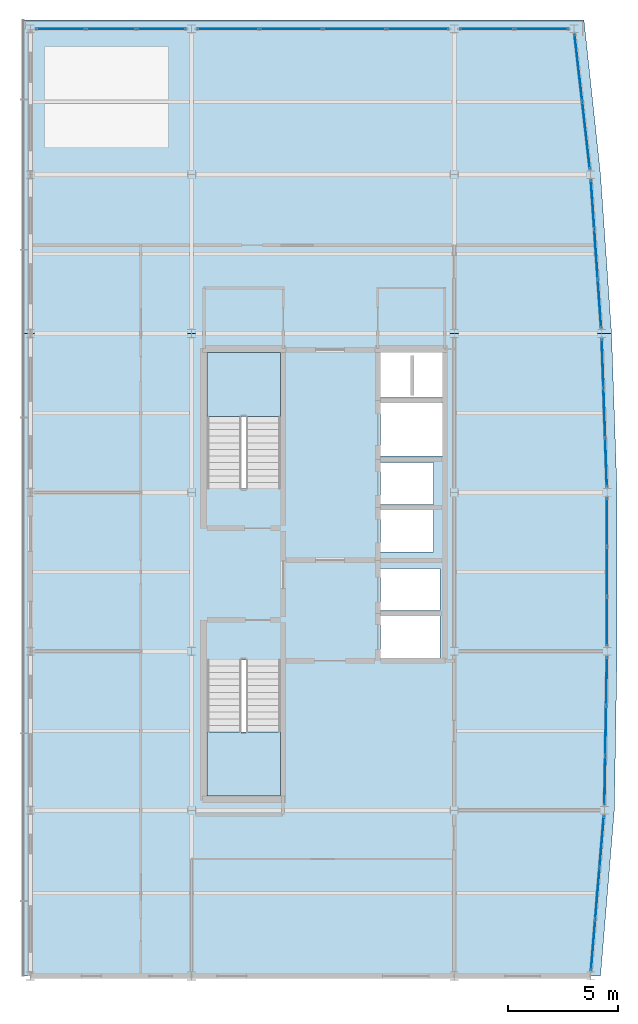
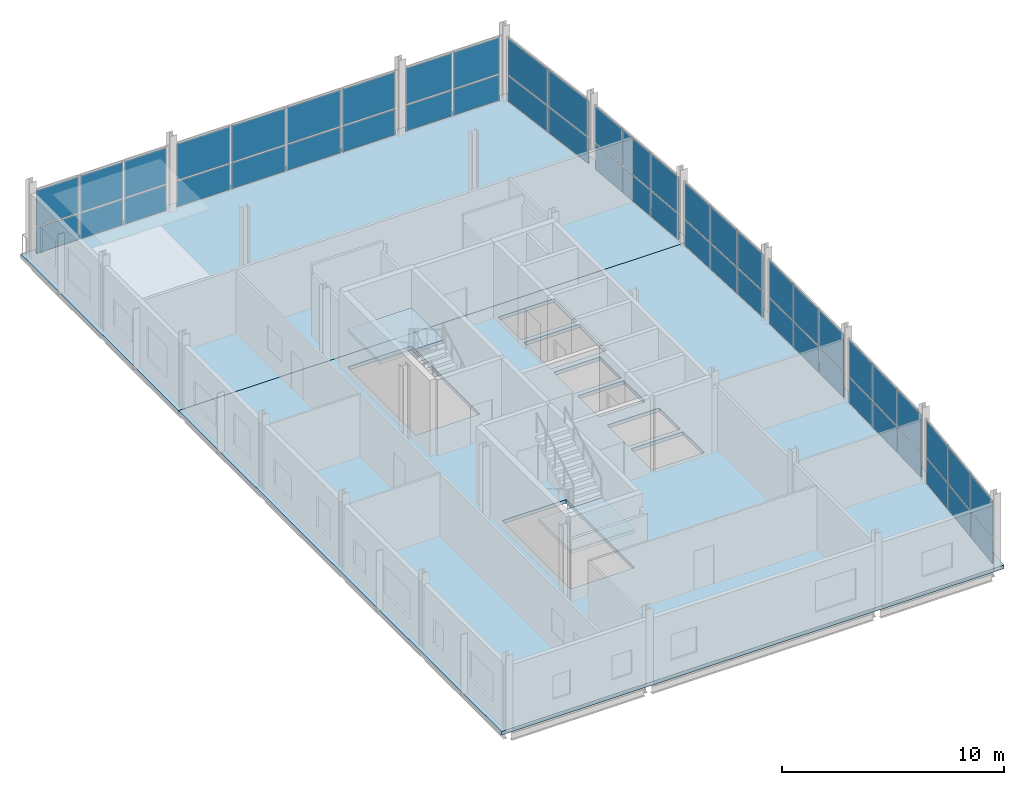
# One storey, part 10 of 16: 52 plates, 4 slabs, 11 elements without a shape of their own.
"""IFC4 building model written with IfcOpenShell, lengths in metres."""

from ifc_helpers import new_model, si_unit, direction, frame, origin, origin_2d, place, context, subcontext, project, spatial, polyline, rectangle, outline, extrude, material, layer, layer_set, type_object, element, aggregate, save


model = new_model("IFC4")

# Units and contexts
model_context = context("Model", 3, precision=1e-05, world=origin(), true_north=direction((0.0, 1.0)))
body_context = subcontext(model_context, "Body", "Model", "MODEL_VIEW")
ifc_project = project(units=[si_unit("LENGTHUNIT", "METRE"), si_unit("AREAUNIT", "SQUARE_METRE"), si_unit("VOLUMEUNIT", "CUBIC_METRE"), si_unit("PLANEANGLEUNIT", "RADIAN"), si_unit("MASSUNIT", "GRAM", prefix="KILO")], contexts=[model_context])

# Site, building, storey
site_placement = place(None, origin())
site = spatial("IfcSite", under=ifc_project, at=site_placement, CompositionType="ELEMENT")
building_placement = place(site_placement, origin())
building = spatial("IfcBuilding", under=site, at=building_placement, Name="Quillay Park Conservatory", CompositionType="ELEMENT")
storey_placement = place(building_placement, frame((0.0, 0.0, 39.300048828125)))
storey = spatial("IfcBuildingStorey", under=building, at=storey_placement, Name="L09", CompositionType="ELEMENT", Elevation=39.300048828125)

# Curtain wall, plates
ifc_material_1 = material(Name="Thermally Broken Anodised Aluminium 6063-T6", Category="aluminium")
ifc_layer_1 = layer(ifc_material_1, 0.179931640625)
ifc_layer_set_1 = layer_set([ifc_layer_1], Name="UNITISED CURTAIN WALL TOWER (Thermally Broken Anodised Aluminium 6063-T6)")
curtain_wall_type = type_object("IfcCurtainWallType", Name="UNITISED CURTAIN WALL TOWER", PredefinedType="USERDEFINED", material=ifc_layer_set_1)
curtain_wall_1_placement = place(storey_placement, origin())
curtain_wall_1 = element("IfcCurtainWall", 1, at=curtain_wall_1_placement, inside=storey, type_object=curtain_wall_type, Name="L09 Unitised Curtain Wall 087", ObjectType="UNITISED CURTAIN WALL", PredefinedType="USERDEFINED")
ifc_material_2 = material(Name="Low-E Double Glazing (Laminated Tempered)", Category="glass")
ifc_layer_2 = layer(ifc_material_2, 0.028076171875)
ifc_layer_set_2 = layer_set([ifc_layer_2], Name="CURTAIN WALL GLAZED PANEL 28 (Low-E Double Glazing (Laminated Tempered))")
plate_type = type_object("IfcPlateType", Name="CURTAIN WALL GLAZED PANEL 28", PredefinedType="CURTAIN_PANEL", material=ifc_layer_set_2)
plate_1_placement = place(storey_placement, frame((26.433349609375, 76.599609375, 0.06982421875), z_axis=(0.0, 0.0, 1.0), x_axis=(-0.083047802572, -0.996545564682, 0.0)))
plate_1 = element("IfcPlate", 2, at=plate_1_placement, type_object=plate_type, Name="CW-T1 panel 1.1", PredefinedType="CURTAIN_PANEL", context=body_context, shape_type="SweptSolid", body=[
    extrude(rectangle(XDim=2.270263671875, YDim=0.028076171875, at=origin_2d()), origin(), (0.0, 0.0, 1.0), 1.406494140625),
])
plate_2_placement = place(storey_placement, frame((26.433349609375, 76.599609375, 1.546630859375), z_axis=(0.0, 0.0, 1.0), x_axis=(-0.083047802572, -0.996545564682, 0.0)))
plate_2 = element("IfcPlate", 3, at=plate_2_placement, type_object=plate_type, Name="CW-T1 panel 1.2", PredefinedType="CURTAIN_PANEL", context=body_context, shape_type="SweptSolid", body=[
    extrude(rectangle(XDim=2.270263671875, YDim=0.028076171875, at=origin_2d()), origin(), (0.0, 0.0, 1.0), 1.982421875),
])
plate_3_placement = place(storey_placement, frame((26.237548828125, 74.25, 0.06982421875), z_axis=(0.0, 0.0, 1.0), x_axis=(-0.083047802572, -0.996545564682, 0.0)))
plate_3 = element("IfcPlate", 4, at=plate_3_placement, type_object=plate_type, Name="CW-T1 panel 2.1", PredefinedType="CURTAIN_PANEL", context=body_context, shape_type="SweptSolid", body=[
    extrude(rectangle(XDim=2.305419921875, YDim=0.028076171875, at=origin_2d()), origin(), (0.0, 0.0, 1.0), 1.406494140625),
])
plate_4_placement = place(storey_placement, frame((26.237548828125, 74.25, 1.546630859375), z_axis=(0.0, 0.0, 1.0), x_axis=(-0.083047802572, -0.996545564682, 0.0)))
plate_4 = element("IfcPlate", 5, at=plate_4_placement, type_object=plate_type, Name="CW-T1 panel 2.2", PredefinedType="CURTAIN_PANEL", context=body_context, shape_type="SweptSolid", body=[
    extrude(rectangle(XDim=2.305419921875, YDim=0.028076171875, at=origin_2d()), origin(), (0.0, 0.0, 1.0), 1.982421875),
])
plate_5_placement = place(storey_placement, frame((26.041748046875, 71.900390625, 0.06982421875), z_axis=(0.0, 0.0, 1.0), x_axis=(-0.083047802572, -0.996545564682, 0.0)))
plate_5 = element("IfcPlate", 6, at=plate_5_placement, type_object=plate_type, Name="CW-T1 panel 3.1", PredefinedType="CURTAIN_PANEL", context=body_context, shape_type="SweptSolid", body=[
    extrude(rectangle(XDim=2.270263671875, YDim=0.028076171875, at=origin_2d()), origin(), (0.0, 0.0, 1.0), 1.406494140625),
])
plate_6_placement = place(storey_placement, frame((26.041748046875, 71.900390625, 1.546630859375), z_axis=(0.0, 0.0, 1.0), x_axis=(-0.083047802572, -0.996545564682, 0.0)))
plate_6 = element("IfcPlate", 7, at=plate_6_placement, type_object=plate_type, Name="CW-T1 panel 3.2", PredefinedType="CURTAIN_PANEL", context=body_context, shape_type="SweptSolid", body=[
    extrude(rectangle(XDim=2.270263671875, YDim=0.028076171875, at=origin_2d()), origin(), (0.0, 0.0, 1.0), 1.982421875),
])
aggregate(curtain_wall_1, [plate_1, plate_2, plate_3, plate_4, plate_5, plate_6])

curtain_wall_2_placement = place(storey_placement, origin())
curtain_wall_2 = element("IfcCurtainWall", 8, at=curtain_wall_2_placement, inside=storey, type_object=curtain_wall_type, Name="L09 Unitised Curtain Wall 088", ObjectType="UNITISED CURTAIN WALL", PredefinedType="USERDEFINED")
plate_7_placement = place(storey_placement, frame((26.651611328125, 83.84912109375, 0.06982421875), z_axis=(0.0, 0.0, 1.0), x_axis=(-0.017350329071, -0.999849471711, 0.0)))
plate_7 = element("IfcPlate", 9, at=plate_7_placement, type_object=plate_type, Name="CW-T1 panel 1.1", PredefinedType="CURTAIN_PANEL", context=body_context, shape_type="SweptSolid", body=[
    extrude(rectangle(XDim=2.162109375, YDim=0.028076171875, at=origin_2d()), origin(), (0.0, 0.0, 1.0), 1.406494140625),
])
plate_8_placement = place(storey_placement, frame((26.651611328125, 83.84912109375, 1.546630859375), z_axis=(0.0, 0.0, 1.0), x_axis=(-0.017350329071, -0.999849471711, 0.0)))
plate_8 = element("IfcPlate", 10, at=plate_8_placement, type_object=plate_type, Name="CW-T1 panel 1.2", PredefinedType="CURTAIN_PANEL", context=body_context, shape_type="SweptSolid", body=[
    extrude(rectangle(XDim=2.162109375, YDim=0.028076171875, at=origin_2d()), origin(), (0.0, 0.0, 1.0), 1.982421875),
])
plate_9_placement = place(storey_placement, frame((26.612548828125, 81.60009765625, 0.06982421875), z_axis=(0.0, 0.0, 1.0), x_axis=(-0.017350329071, -0.999849471711, 0.0)))
plate_9 = element("IfcPlate", 11, at=plate_9_placement, type_object=plate_type, Name="CW-T1 panel 2.1", PredefinedType="CURTAIN_PANEL", context=body_context, shape_type="SweptSolid", body=[
    extrude(rectangle(XDim=2.197021484375, YDim=0.028076171875, at=origin_2d()), origin(), (0.0, 0.0, 1.0), 1.406494140625),
])
plate_10_placement = place(storey_placement, frame((26.612548828125, 81.60009765625, 1.546630859375), z_axis=(0.0, 0.0, 1.0), x_axis=(-0.017350329071, -0.999849471711, 0.0)))
plate_10 = element("IfcPlate", 12, at=plate_10_placement, type_object=plate_type, Name="CW-T1 panel 2.2", PredefinedType="CURTAIN_PANEL", context=body_context, shape_type="SweptSolid", body=[
    extrude(rectangle(XDim=2.197021484375, YDim=0.028076171875, at=origin_2d()), origin(), (0.0, 0.0, 1.0), 1.982421875),
])
plate_11_placement = place(storey_placement, frame((26.573486328125, 79.350830078125, 0.06982421875), z_axis=(0.0, 0.0, 1.0), x_axis=(-0.017350329071, -0.999849471711, 0.0)))
plate_11 = element("IfcPlate", 13, at=plate_11_placement, type_object=plate_type, Name="CW-T1 panel 3.1", PredefinedType="CURTAIN_PANEL", context=body_context, shape_type="SweptSolid", body=[
    extrude(rectangle(XDim=2.162109375, YDim=0.028076171875, at=origin_2d()), origin(), (0.0, 0.0, 1.0), 1.406494140625),
])
plate_12_placement = place(storey_placement, frame((26.573486328125, 79.350830078125, 1.546630859375), z_axis=(0.0, 0.0, 1.0), x_axis=(-0.017350329071, -0.999849471711, 0.0)))
plate_12 = element("IfcPlate", 14, at=plate_12_placement, type_object=plate_type, Name="CW-T1 panel 3.2", PredefinedType="CURTAIN_PANEL", context=body_context, shape_type="SweptSolid", body=[
    extrude(rectangle(XDim=2.162109375, YDim=0.028076171875, at=origin_2d()), origin(), (0.0, 0.0, 1.0), 1.982421875),
])
aggregate(curtain_wall_2, [plate_7, plate_8, plate_9, plate_10, plate_11, plate_12])

curtain_wall_3_placement = place(storey_placement, origin())
curtain_wall_3 = element("IfcCurtainWall", 15, at=curtain_wall_3_placement, inside=storey, type_object=curtain_wall_type, Name="L09 Unitised Curtain Wall 089", ObjectType="UNITISED CURTAIN WALL", PredefinedType="USERDEFINED")
plate_13_placement = place(storey_placement, frame((26.675048828125, 91.049072265625, 0.06982421875), z_axis=(0.0, 0.0, 1.0), x_axis=(0.0, -1.0, 0.0)))
plate_13 = element("IfcPlate", 16, at=plate_13_placement, type_object=plate_type, Name="CW-T1 panel 1.1", PredefinedType="CURTAIN_PANEL", context=body_context, shape_type="SweptSolid", body=[
    extrude(rectangle(XDim=2.16162109375, YDim=0.028076171875, at=origin_2d()), origin(), (0.0, 0.0, 1.0), 1.406494140625),
])
plate_14_placement = place(storey_placement, frame((26.675048828125, 91.049072265625, 1.546630859375), z_axis=(0.0, 0.0, 1.0), x_axis=(0.0, -1.0, 0.0)))
plate_14 = element("IfcPlate", 17, at=plate_14_placement, type_object=plate_type, Name="CW-T1 panel 1.2", PredefinedType="CURTAIN_PANEL", context=body_context, shape_type="SweptSolid", body=[
    extrude(rectangle(XDim=2.16162109375, YDim=0.028076171875, at=origin_2d()), origin(), (0.0, 0.0, 1.0), 1.982421875),
])
plate_15_placement = place(storey_placement, frame((26.675048828125, 88.800048828125, 0.06982421875), z_axis=(0.0, 0.0, 1.0), x_axis=(0.0, -1.0, 0.0)))
plate_15 = element("IfcPlate", 18, at=plate_15_placement, type_object=plate_type, Name="CW-T1 panel 2.1", PredefinedType="CURTAIN_PANEL", context=body_context, shape_type="SweptSolid", body=[
    extrude(rectangle(XDim=2.19677734375, YDim=0.028076171875, at=origin_2d()), origin(), (0.0, 0.0, 1.0), 1.406494140625),
])
plate_16_placement = place(storey_placement, frame((26.675048828125, 88.800048828125, 1.546630859375), z_axis=(0.0, 0.0, 1.0), x_axis=(0.0, -1.0, 0.0)))
plate_16 = element("IfcPlate", 19, at=plate_16_placement, type_object=plate_type, Name="CW-T1 panel 2.2", PredefinedType="CURTAIN_PANEL", context=body_context, shape_type="SweptSolid", body=[
    extrude(rectangle(XDim=2.19677734375, YDim=0.028076171875, at=origin_2d()), origin(), (0.0, 0.0, 1.0), 1.982421875),
])
plate_17_placement = place(storey_placement, frame((26.675048828125, 86.55078125, 0.06982421875), z_axis=(0.0, 0.0, 1.0), x_axis=(0.0, -1.0, 0.0)))
plate_17 = element("IfcPlate", 20, at=plate_17_placement, type_object=plate_type, Name="CW-T1 panel 3.1", PredefinedType="CURTAIN_PANEL", context=body_context, shape_type="SweptSolid", body=[
    extrude(rectangle(XDim=2.16162109375, YDim=0.028076171875, at=origin_2d()), origin(), (0.0, 0.0, 1.0), 1.406494140625),
])
plate_18_placement = place(storey_placement, frame((26.675048828125, 86.55078125, 1.546630859375), z_axis=(0.0, 0.0, 1.0), x_axis=(0.0, -1.0, 0.0)))
plate_18 = element("IfcPlate", 21, at=plate_18_placement, type_object=plate_type, Name="CW-T1 panel 3.2", PredefinedType="CURTAIN_PANEL", context=body_context, shape_type="SweptSolid", body=[
    extrude(rectangle(XDim=2.16162109375, YDim=0.028076171875, at=origin_2d()), origin(), (0.0, 0.0, 1.0), 1.982421875),
])
aggregate(curtain_wall_3, [plate_13, plate_14, plate_15, plate_16, plate_17, plate_18])

curtain_wall_4_placement = place(storey_placement, origin())
curtain_wall_4 = element("IfcCurtainWall", 22, at=curtain_wall_4_placement, inside=storey, type_object=curtain_wall_type, Name="L09 Unitised Curtain Wall 090", ObjectType="UNITISED CURTAIN WALL", PredefinedType="USERDEFINED")
plate_19_placement = place(storey_placement, frame((26.471923828125, 98.249267578125, 0.06982421875), z_axis=(0.0, 0.0, 1.0), x_axis=(0.034713338537, -0.999397310446, 0.0)))
plate_19 = element("IfcPlate", 23, at=plate_19_placement, type_object=plate_type, Name="CW-T1 panel 1.1", PredefinedType="CURTAIN_PANEL", context=body_context, shape_type="SweptSolid", body=[
    extrude(rectangle(XDim=2.1630859375, YDim=0.028076171875, at=origin_2d()), origin(), (0.0, 0.0, 1.0), 1.406494140625),
])
plate_20_placement = place(storey_placement, frame((26.471923828125, 98.249267578125, 1.546630859375), z_axis=(0.0, 0.0, 1.0), x_axis=(0.034713338537, -0.999397310446, 0.0)))
plate_20 = element("IfcPlate", 24, at=plate_20_placement, type_object=plate_type, Name="CW-T1 panel 1.2", PredefinedType="CURTAIN_PANEL", context=body_context, shape_type="SweptSolid", body=[
    extrude(rectangle(XDim=2.1630859375, YDim=0.028076171875, at=origin_2d()), origin(), (0.0, 0.0, 1.0), 1.982421875),
])
plate_21_placement = place(storey_placement, frame((26.550048828125, 96.0, 0.06982421875), z_axis=(0.0, 0.0, 1.0), x_axis=(0.034713338537, -0.999397310446, 0.0)))
plate_21 = element("IfcPlate", 25, at=plate_21_placement, type_object=plate_type, Name="CW-T1 panel 2.1", PredefinedType="CURTAIN_PANEL", context=body_context, shape_type="SweptSolid", body=[
    extrude(rectangle(XDim=2.197998046875, YDim=0.028076171875, at=origin_2d()), origin(), (0.0, 0.0, 1.0), 1.406494140625),
])
plate_22_placement = place(storey_placement, frame((26.550048828125, 96.0, 1.546630859375), z_axis=(0.0, 0.0, 1.0), x_axis=(0.034713338537, -0.999397310446, 0.0)))
plate_22 = element("IfcPlate", 26, at=plate_22_placement, type_object=plate_type, Name="CW-T1 panel 2.2", PredefinedType="CURTAIN_PANEL", context=body_context, shape_type="SweptSolid", body=[
    extrude(rectangle(XDim=2.197998046875, YDim=0.028076171875, at=origin_2d()), origin(), (0.0, 0.0, 1.0), 1.982421875),
])
plate_23_placement = place(storey_placement, frame((26.628173828125, 93.750732421875, 0.06982421875), z_axis=(0.0, 0.0, 1.0), x_axis=(0.034713338537, -0.999397310446, 0.0)))
plate_23 = element("IfcPlate", 27, at=plate_23_placement, type_object=plate_type, Name="CW-T1 panel 3.1", PredefinedType="CURTAIN_PANEL", context=body_context, shape_type="SweptSolid", body=[
    extrude(rectangle(XDim=2.1630859375, YDim=0.028076171875, at=origin_2d()), origin(), (0.0, 0.0, 1.0), 1.406494140625),
])
plate_24_placement = place(storey_placement, frame((26.628173828125, 93.750732421875, 1.546630859375), z_axis=(0.0, 0.0, 1.0), x_axis=(0.034713338537, -0.999397310446, 0.0)))
plate_24 = element("IfcPlate", 28, at=plate_24_placement, type_object=plate_type, Name="CW-T1 panel 3.2", PredefinedType="CURTAIN_PANEL", context=body_context, shape_type="SweptSolid", body=[
    extrude(rectangle(XDim=2.1630859375, YDim=0.028076171875, at=origin_2d()), origin(), (0.0, 0.0, 1.0), 1.982421875),
])
aggregate(curtain_wall_4, [plate_19, plate_20, plate_21, plate_22, plate_23, plate_24])

curtain_wall_5_placement = place(storey_placement, origin())
curtain_wall_5 = element("IfcCurtainWall", 29, at=curtain_wall_5_placement, inside=storey, type_object=curtain_wall_type, Name="L09 Unitised Curtain Wall 091", ObjectType="UNITISED CURTAIN WALL", PredefinedType="USERDEFINED")
plate_25_placement = place(storey_placement, frame((26.018798828125, 105.449462890625, 0.06982421875), z_axis=(0.0, 0.0, 1.0), x_axis=(0.069264217159, -0.99759835015, 0.0)))
plate_25 = element("IfcPlate", 30, at=plate_25_placement, type_object=plate_type, Name="CW-T1 panel 1.1", PredefinedType="CURTAIN_PANEL", context=body_context, shape_type="SweptSolid", body=[
    extrude(rectangle(XDim=2.16748046875, YDim=0.028076171875, at=origin_2d()), origin(), (0.0, 0.0, 1.0), 1.406494140625),
])
plate_26_placement = place(storey_placement, frame((26.018798828125, 105.449462890625, 1.546630859375), z_axis=(0.0, 0.0, 1.0), x_axis=(0.069264217159, -0.99759835015, 0.0)))
plate_26 = element("IfcPlate", 31, at=plate_26_placement, type_object=plate_type, Name="CW-T1 panel 1.2", PredefinedType="CURTAIN_PANEL", context=body_context, shape_type="SweptSolid", body=[
    extrude(rectangle(XDim=2.16748046875, YDim=0.028076171875, at=origin_2d()), origin(), (0.0, 0.0, 1.0), 1.982421875),
])
plate_27_placement = place(storey_placement, frame((26.175048828125, 103.199951171875, 0.06982421875), z_axis=(0.0, 0.0, 1.0), x_axis=(0.069264217159, -0.99759835015, 0.0)))
plate_27 = element("IfcPlate", 32, at=plate_27_placement, type_object=plate_type, Name="CW-T1 panel 2.1", PredefinedType="CURTAIN_PANEL", context=body_context, shape_type="SweptSolid", body=[
    extrude(rectangle(XDim=2.202392578125, YDim=0.028076171875, at=origin_2d()), origin(), (0.0, 0.0, 1.0), 1.406494140625),
])
plate_28_placement = place(storey_placement, frame((26.175048828125, 103.199951171875, 1.546630859375), z_axis=(0.0, 0.0, 1.0), x_axis=(0.069264217159, -0.99759835015, 0.0)))
plate_28 = element("IfcPlate", 33, at=plate_28_placement, type_object=plate_type, Name="CW-T1 panel 2.2", PredefinedType="CURTAIN_PANEL", context=body_context, shape_type="SweptSolid", body=[
    extrude(rectangle(XDim=2.202392578125, YDim=0.028076171875, at=origin_2d()), origin(), (0.0, 0.0, 1.0), 1.982421875),
])
plate_29_placement = place(storey_placement, frame((26.331298828125, 100.950439453125, 0.06982421875), z_axis=(0.0, 0.0, 1.0), x_axis=(0.069264217159, -0.99759835015, 0.0)))
plate_29 = element("IfcPlate", 34, at=plate_29_placement, type_object=plate_type, Name="CW-T1 panel 3.1", PredefinedType="CURTAIN_PANEL", context=body_context, shape_type="SweptSolid", body=[
    extrude(rectangle(XDim=2.16748046875, YDim=0.028076171875, at=origin_2d()), origin(), (0.0, 0.0, 1.0), 1.406494140625),
])
plate_30_placement = place(storey_placement, frame((26.331298828125, 100.950439453125, 1.546630859375), z_axis=(0.0, 0.0, 1.0), x_axis=(0.069264217159, -0.99759835015, 0.0)))
plate_30 = element("IfcPlate", 35, at=plate_30_placement, type_object=plate_type, Name="CW-T1 panel 3.2", PredefinedType="CURTAIN_PANEL", context=body_context, shape_type="SweptSolid", body=[
    extrude(rectangle(XDim=2.16748046875, YDim=0.028076171875, at=origin_2d()), origin(), (0.0, 0.0, 1.0), 1.982421875),
])
aggregate(curtain_wall_5, [plate_25, plate_26, plate_27, plate_28, plate_29, plate_30])

curtain_wall_6_placement = place(storey_placement, origin())
curtain_wall_6 = element("IfcCurtainWall", 36, at=curtain_wall_6_placement, inside=storey, type_object=curtain_wall_type, Name="L09 Unitised Curtain Wall 092", ObjectType="UNITISED CURTAIN WALL", PredefinedType="USERDEFINED")
plate_31_placement = place(storey_placement, frame((25.375732421875, 111.63330078125, 0.06982421875), z_axis=(0.0, 0.0, 1.0), x_axis=(0.112903218278, -0.993605989969, 0.0)))
plate_31 = element("IfcPlate", 37, at=plate_31_placement, type_object=plate_type, Name="CW-T1 panel 1.1", PredefinedType="CURTAIN_PANEL", context=body_context, shape_type="SweptSolid", body=[
    extrude(rectangle(XDim=3.016357421875, YDim=0.028076171875, at=origin_2d()), origin(), (0.0, 0.0, 1.0), 1.406494140625),
])
plate_32_placement = place(storey_placement, frame((25.375732421875, 111.63330078125, 1.546630859375), z_axis=(0.0, 0.0, 1.0), x_axis=(0.112903218278, -0.993605989969, 0.0)))
plate_32 = element("IfcPlate", 38, at=plate_32_placement, type_object=plate_type, Name="CW-T1 panel 1.2", PredefinedType="CURTAIN_PANEL", context=body_context, shape_type="SweptSolid", body=[
    extrude(rectangle(XDim=3.016357421875, YDim=0.028076171875, at=origin_2d()), origin(), (0.0, 0.0, 1.0), 1.982421875),
])
plate_33_placement = place(storey_placement, frame((25.72412109375, 108.566650390625, 0.06982421875), z_axis=(0.0, 0.0, 1.0), x_axis=(0.112903218278, -0.993605989969, 0.0)))
plate_33 = element("IfcPlate", 39, at=plate_33_placement, type_object=plate_type, Name="CW-T1 panel 2.1", PredefinedType="CURTAIN_PANEL", context=body_context, shape_type="SweptSolid", body=[
    extrude(rectangle(XDim=3.016357421875, YDim=0.028076171875, at=origin_2d()), origin(), (0.0, 0.0, 1.0), 1.406494140625),
])
plate_34_placement = place(storey_placement, frame((25.72412109375, 108.566650390625, 1.546630859375), z_axis=(0.0, 0.0, 1.0), x_axis=(0.112903218278, -0.993605989969, 0.0)))
plate_34 = element("IfcPlate", 40, at=plate_34_placement, type_object=plate_type, Name="CW-T1 panel 2.2", PredefinedType="CURTAIN_PANEL", context=body_context, shape_type="SweptSolid", body=[
    extrude(rectangle(XDim=3.016357421875, YDim=0.028076171875, at=origin_2d()), origin(), (0.0, 0.0, 1.0), 1.982421875),
])
aggregate(curtain_wall_6, [plate_31, plate_32, plate_33, plate_34])

curtain_wall_7_placement = place(storey_placement, origin())
curtain_wall_7 = element("IfcCurtainWall", 41, at=curtain_wall_7_placement, inside=storey, type_object=curtain_wall_type, Name="L09 Unitised Curtain Wall 093", ObjectType="UNITISED CURTAIN WALL", PredefinedType="USERDEFINED")
plate_35_placement = place(storey_placement, frame((1.91748046875, 113.39990234375, 0.06982421875), z_axis=(0.0, 0.0, 1.0), x_axis=(1.0, 0.0, 0.0)))
plate_35 = element("IfcPlate", 42, at=plate_35_placement, type_object=plate_type, Name="CW-T1 panel 1.1", PredefinedType="CURTAIN_PANEL", context=body_context, shape_type="SweptSolid", body=[
    extrude(rectangle(XDim=2.195068359375, YDim=0.028076171875, at=origin_2d()), origin(), (0.0, 0.0, 1.0), 1.406494140625),
])
plate_36_placement = place(storey_placement, frame((1.91748046875, 113.39990234375, 1.546630859375), z_axis=(0.0, 0.0, 1.0), x_axis=(1.0, 0.0, 0.0)))
plate_36 = element("IfcPlate", 43, at=plate_36_placement, type_object=plate_type, Name="CW-T1 panel 1.2", PredefinedType="CURTAIN_PANEL", context=body_context, shape_type="SweptSolid", body=[
    extrude(rectangle(XDim=2.195068359375, YDim=0.028076171875, at=origin_2d()), origin(), (0.0, 0.0, 1.0), 1.982421875),
])
plate_37_placement = place(storey_placement, frame((4.199951171875, 113.39990234375, 0.06982421875), z_axis=(0.0, 0.0, 1.0), x_axis=(1.0, 0.0, 0.0)))
plate_37 = element("IfcPlate", 44, at=plate_37_placement, type_object=plate_type, Name="CW-T1 panel 2.1", PredefinedType="CURTAIN_PANEL", context=body_context, shape_type="SweptSolid", body=[
    extrude(rectangle(XDim=2.22998046875, YDim=0.028076171875, at=origin_2d()), origin(), (0.0, 0.0, 1.0), 1.406494140625),
])
plate_38_placement = place(storey_placement, frame((4.199951171875, 113.39990234375, 1.546630859375), z_axis=(0.0, 0.0, 1.0), x_axis=(1.0, 0.0, 0.0)))
plate_38 = element("IfcPlate", 45, at=plate_38_placement, type_object=plate_type, Name="CW-T1 panel 2.2", PredefinedType="CURTAIN_PANEL", context=body_context, shape_type="SweptSolid", body=[
    extrude(rectangle(XDim=2.22998046875, YDim=0.028076171875, at=origin_2d()), origin(), (0.0, 0.0, 1.0), 1.982421875),
])
plate_39_placement = place(storey_placement, frame((6.482421875, 113.39990234375, 0.06982421875), z_axis=(0.0, 0.0, 1.0), x_axis=(1.0, 0.0, 0.0)))
plate_39 = element("IfcPlate", 46, at=plate_39_placement, type_object=plate_type, Name="CW-T1 panel 3.1", PredefinedType="CURTAIN_PANEL", context=body_context, shape_type="SweptSolid", body=[
    extrude(rectangle(XDim=2.195068359375, YDim=0.028076171875, at=origin_2d()), origin(), (0.0, 0.0, 1.0), 1.406494140625),
])
plate_40_placement = place(storey_placement, frame((6.482421875, 113.39990234375, 1.546630859375), z_axis=(0.0, 0.0, 1.0), x_axis=(1.0, 0.0, 0.0)))
plate_40 = element("IfcPlate", 47, at=plate_40_placement, type_object=plate_type, Name="CW-T1 panel 3.2", PredefinedType="CURTAIN_PANEL", context=body_context, shape_type="SweptSolid", body=[
    extrude(rectangle(XDim=2.195068359375, YDim=0.028076171875, at=origin_2d()), origin(), (0.0, 0.0, 1.0), 1.982421875),
])
aggregate(curtain_wall_7, [plate_35, plate_36, plate_37, plate_38, plate_39, plate_40])

curtain_wall_8_placement = place(storey_placement, origin())
curtain_wall_8 = element("IfcCurtainWall", 48, at=curtain_wall_8_placement, inside=storey, type_object=curtain_wall_type, Name="L09 Unitised Curtain Wall 094", ObjectType="UNITISED CURTAIN WALL", PredefinedType="USERDEFINED")
plate_41_placement = place(storey_placement, frame((9.5048828125, 113.39990234375, 0.06982421875), z_axis=(0.0, 0.0, 1.0), x_axis=(1.0, 0.0, 0.0)))
plate_41 = element("IfcPlate", 49, at=plate_41_placement, type_object=plate_type, Name="CW-T1 panel 1.1", PredefinedType="CURTAIN_PANEL", context=body_context, shape_type="SweptSolid", body=[
    extrude(rectangle(XDim=2.77001953125, YDim=0.028076171875, at=origin_2d()), origin(), (0.0, 0.0, 1.0), 1.406494140625),
])
plate_42_placement = place(storey_placement, frame((9.5048828125, 113.39990234375, 1.546630859375), z_axis=(0.0, 0.0, 1.0), x_axis=(1.0, 0.0, 0.0)))
plate_42 = element("IfcPlate", 50, at=plate_42_placement, type_object=plate_type, Name="CW-T1 panel 1.2", PredefinedType="CURTAIN_PANEL", context=body_context, shape_type="SweptSolid", body=[
    extrude(rectangle(XDim=2.77001953125, YDim=0.028076171875, at=origin_2d()), origin(), (0.0, 0.0, 1.0), 1.982421875),
])
plate_43_placement = place(storey_placement, frame((12.362548828125, 113.39990234375, 0.06982421875), z_axis=(0.0, 0.0, 1.0), x_axis=(1.0, 0.0, 0.0)))
plate_43 = element("IfcPlate", 51, at=plate_43_placement, type_object=plate_type, Name="CW-T1 panel 2.1", PredefinedType="CURTAIN_PANEL", context=body_context, shape_type="SweptSolid", body=[
    extrude(rectangle(XDim=2.804931640625, YDim=0.028076171875, at=origin_2d()), origin(), (0.0, 0.0, 1.0), 1.406494140625),
])
plate_44_placement = place(storey_placement, frame((12.362548828125, 113.39990234375, 1.546630859375), z_axis=(0.0, 0.0, 1.0), x_axis=(1.0, 0.0, 0.0)))
plate_44 = element("IfcPlate", 52, at=plate_44_placement, type_object=plate_type, Name="CW-T1 panel 2.2", PredefinedType="CURTAIN_PANEL", context=body_context, shape_type="SweptSolid", body=[
    extrude(rectangle(XDim=2.804931640625, YDim=0.028076171875, at=origin_2d()), origin(), (0.0, 0.0, 1.0), 1.982421875),
])
plate_45_placement = place(storey_placement, frame((15.237548828125, 113.39990234375, 0.06982421875), z_axis=(0.0, 0.0, 1.0), x_axis=(1.0, 0.0, 0.0)))
plate_45 = element("IfcPlate", 53, at=plate_45_placement, type_object=plate_type, Name="CW-T1 panel 3.1", PredefinedType="CURTAIN_PANEL", context=body_context, shape_type="SweptSolid", body=[
    extrude(rectangle(XDim=2.804931640625, YDim=0.028076171875, at=origin_2d()), origin(), (0.0, 0.0, 1.0), 1.406494140625),
])
plate_46_placement = place(storey_placement, frame((15.237548828125, 113.39990234375, 1.546630859375), z_axis=(0.0, 0.0, 1.0), x_axis=(1.0, 0.0, 0.0)))
plate_46 = element("IfcPlate", 54, at=plate_46_placement, type_object=plate_type, Name="CW-T1 panel 3.2", PredefinedType="CURTAIN_PANEL", context=body_context, shape_type="SweptSolid", body=[
    extrude(rectangle(XDim=2.804931640625, YDim=0.028076171875, at=origin_2d()), origin(), (0.0, 0.0, 1.0), 1.982421875),
])
plate_47_placement = place(storey_placement, frame((18.094970703125, 113.39990234375, 0.06982421875), z_axis=(0.0, 0.0, 1.0), x_axis=(1.0, 0.0, 0.0)))
plate_47 = element("IfcPlate", 55, at=plate_47_placement, type_object=plate_type, Name="CW-T1 panel 4.1", PredefinedType="CURTAIN_PANEL", context=body_context, shape_type="SweptSolid", body=[
    extrude(rectangle(XDim=2.77001953125, YDim=0.028076171875, at=origin_2d()), origin(), (0.0, 0.0, 1.0), 1.406494140625),
])
plate_48_placement = place(storey_placement, frame((18.094970703125, 113.39990234375, 1.546630859375), z_axis=(0.0, 0.0, 1.0), x_axis=(1.0, 0.0, 0.0)))
plate_48 = element("IfcPlate", 56, at=plate_48_placement, type_object=plate_type, Name="CW-T1 panel 4.2", PredefinedType="CURTAIN_PANEL", context=body_context, shape_type="SweptSolid", body=[
    extrude(rectangle(XDim=2.77001953125, YDim=0.028076171875, at=origin_2d()), origin(), (0.0, 0.0, 1.0), 1.982421875),
])
aggregate(curtain_wall_8, [plate_41, plate_42, plate_43, plate_44, plate_45, plate_46, plate_47, plate_48])

curtain_wall_9_placement = place(storey_placement, origin())
curtain_wall_9 = element("IfcCurtainWall", 57, at=curtain_wall_9_placement, inside=storey, type_object=curtain_wall_type, Name="L09 Unitised Curtain Wall 095", ObjectType="UNITISED CURTAIN WALL", PredefinedType="USERDEFINED")
plate_49_placement = place(storey_placement, frame((21.2236328125, 113.39990234375, 0.06982421875), z_axis=(0.0, 0.0, 1.0), x_axis=(1.0, 0.0, 0.0)))
plate_49 = element("IfcPlate", 58, at=plate_49_placement, type_object=plate_type, Name="CW-T1 panel 1.1", PredefinedType="CURTAIN_PANEL", context=body_context, shape_type="SweptSolid", body=[
    extrude(rectangle(XDim=2.407470703125, YDim=0.028076171875, at=origin_2d()), origin(), (0.0, 0.0, 1.0), 1.406494140625),
])
plate_50_placement = place(storey_placement, frame((21.2236328125, 113.39990234375, 1.546630859375), z_axis=(0.0, 0.0, 1.0), x_axis=(1.0, 0.0, 0.0)))
plate_50 = element("IfcPlate", 59, at=plate_50_placement, type_object=plate_type, Name="CW-T1 panel 1.2", PredefinedType="CURTAIN_PANEL", context=body_context, shape_type="SweptSolid", body=[
    extrude(rectangle(XDim=2.407470703125, YDim=0.028076171875, at=origin_2d()), origin(), (0.0, 0.0, 1.0), 1.982421875),
])
plate_51_placement = place(storey_placement, frame((23.701171875, 113.39990234375, 0.06982421875), z_axis=(0.0, 0.0, 1.0), x_axis=(1.0, 0.0, 0.0)))
plate_51 = element("IfcPlate", 60, at=plate_51_placement, type_object=plate_type, Name="CW-T1 panel 2.1", PredefinedType="CURTAIN_PANEL", context=body_context, shape_type="SweptSolid", body=[
    extrude(rectangle(XDim=2.407470703125, YDim=0.028076171875, at=origin_2d()), origin(), (0.0, 0.0, 1.0), 1.406494140625),
])
plate_52_placement = place(storey_placement, frame((23.701171875, 113.39990234375, 1.546630859375), z_axis=(0.0, 0.0, 1.0), x_axis=(1.0, 0.0, 0.0)))
plate_52 = element("IfcPlate", 61, at=plate_52_placement, type_object=plate_type, Name="CW-T1 panel 2.2", PredefinedType="CURTAIN_PANEL", context=body_context, shape_type="SweptSolid", body=[
    extrude(rectangle(XDim=2.407470703125, YDim=0.028076171875, at=origin_2d()), origin(), (0.0, 0.0, 1.0), 1.982421875),
])
aggregate(curtain_wall_9, [plate_49, plate_50, plate_51, plate_52])

# Stair, slab
ifc_material_3 = material(Name="Concrete C35/45 (NCh170 Concrete C35/45)", Category="concrete")
stair_type = type_object("IfcStairType", Name="ENCLOSED DOG LEG STAIR 4200", PredefinedType="HALF_TURN_STAIR", material=ifc_material_3)
stair_1_placement = place(storey_placement, origin())
stair_1 = element("IfcStair", 62, at=stair_1_placement, inside=storey, type_object=stair_type, Name="L09 Tower Protected Exit Stair 1", PredefinedType="HALF_TURN_STAIR")
ifc_material_4 = material(Name="Concrete C35/45 (NCh170 Concrete C35/45)", Category="concrete")
ifc_layer_3 = layer(ifc_material_4, 0.199951171875)
ifc_layer_set_3 = layer_set([ifc_layer_3], Name="STAIR LANDING SLAB 200 (Concrete C35/45 (NCh170 Concrete C35/45))")
slab_type_1 = type_object("IfcSlabType", Name="STAIR LANDING SLAB 200", PredefinedType="LANDING", material=ifc_layer_set_3)
slab_1_placement = place(storey_placement, frame((0.0, 0.0, 1.89990234375)))
slab_1 = element("IfcSlab", 63, at=slab_1_placement, type_object=slab_type_1, Name="ST-T1 landing 1", PredefinedType="LANDING", context=body_context, shape_type="SweptSolid", body=[
    extrude(outline(polyline([(11.8701171875, 95.85009765625), (11.8701171875, 98.75), (8.550048828125, 98.75), (8.550048828125, 95.85009765625), (11.8701171875, 95.85009765625)])), origin(), (0.0, 0.0, 1.0), 0.199951171875),
])
aggregate(stair_1, [slab_1])

stair_2_placement = place(storey_placement, origin())
stair_2 = element("IfcStair", 64, at=stair_2_placement, inside=storey, type_object=stair_type, Name="L09 Tower Protected Exit Stair 2", PredefinedType="HALF_TURN_STAIR")
slab_2_placement = place(storey_placement, frame((0.0, 0.0, 1.89990234375)))
slab_2 = element("IfcSlab", 65, at=slab_2_placement, type_object=slab_type_1, Name="ST-T2 landing 1", PredefinedType="LANDING", context=body_context, shape_type="SweptSolid", body=[
    extrude(outline(polyline([(8.550048828125, 81.550048828125), (8.550048828125, 78.64990234375), (11.8701171875, 78.64990234375), (11.8701171875, 81.550048828125), (8.550048828125, 81.550048828125)])), origin(), (0.0, 0.0, 1.0), 0.199951171875),
])
aggregate(stair_2, [slab_2])

# Slabs
ifc_material_5 = material(Name="Concrete C35/45 (NCh170 Concrete C35/45)", Category="concrete")
ifc_layer_4 = layer(ifc_material_5, 0.199951171875)
ifc_layer_set_4 = layer_set([ifc_layer_4], Name="SUSPENDED FLOOR SLAB 180 (Concrete C35/45 (NCh170 Concrete C35/45))")
slab_type_2 = type_object("IfcSlabType", Name="SUSPENDED FLOOR SLAB 180", PredefinedType="FLOOR", material=ifc_layer_set_4)
slab_3_placement = place(storey_placement, frame((0.0, 0.0, -0.199951171875)))
element("IfcSlab", 66, at=slab_3_placement, inside=storey, type_object=slab_type_2, Name="L09 Research Tower South Chord Plate", PredefinedType="FLOOR", context=body_context, shape_type="SweptSolid", body=[
    extrude(outline(polyline([(0.25, 70.5), (26.375, 70.5), (27.0, 78.0), (27.125, 85.199951171875), (27.125, 92.39990234375), (26.875, 99.60009765625), (0.25, 99.60009765625), (0.25, 70.5)]), holes=[polyline([(8.550048828125, 92.580078125), (11.8701171875, 92.580078125), (11.8701171875, 98.75), (8.550048828125, 98.75), (8.550048828125, 92.580078125)]), polyline([(8.550048828125, 78.64990234375), (11.8701171875, 78.64990234375), (11.8701171875, 84.820068359375), (8.550048828125, 84.820068359375), (8.550048828125, 78.64990234375)]), polyline([(16.39990234375, 84.89990234375), (19.10009765625, 84.89990234375), (19.10009765625, 86.800048828125), (16.39990234375, 86.800048828125), (16.39990234375, 84.89990234375)]), polyline([(16.39990234375, 87.050048828125), (19.10009765625, 87.050048828125), (19.10009765625, 88.949951171875), (16.39990234375, 88.949951171875), (16.39990234375, 87.050048828125)]), polyline([(16.39990234375, 89.699951171875), (18.800048828125, 89.699951171875), (18.800048828125, 91.60009765625), (16.39990234375, 91.60009765625), (16.39990234375, 89.699951171875)]), polyline([(16.39990234375, 91.85009765625), (18.800048828125, 91.85009765625), (18.800048828125, 93.75), (16.39990234375, 93.75), (16.39990234375, 91.85009765625)]), polyline([(16.39990234375, 94.050048828125), (19.300048828125, 94.050048828125), (19.300048828125, 96.449951171875), (16.39990234375, 96.449951171875), (16.39990234375, 94.050048828125)]), polyline([(16.39990234375, 96.699951171875), (19.300048828125, 96.699951171875), (19.300048828125, 98.75), (16.39990234375, 98.75), (16.39990234375, 96.699951171875)])]), origin(), (0.0, 0.0, 1.0), 0.199951171875),
])
slab_4_placement = place(storey_placement, frame((0.0, 0.0, -0.199951171875)))
element("IfcSlab", 67, at=slab_4_placement, inside=storey, type_object=slab_type_2, Name="L09 Research Tower North Chord Plate", PredefinedType="FLOOR", context=body_context, shape_type="SweptSolid", body=[
    extrude(outline(polyline([(0.25, 99.60009765625), (26.875, 99.60009765625), (26.375, 106.800048828125), (25.625, 113.800048828125), (0.25, 113.800048828125), (0.25, 99.60009765625)])), origin(), (0.0, 0.0, 1.0), 0.199951171875),
])

save(model, "model.ifc")
